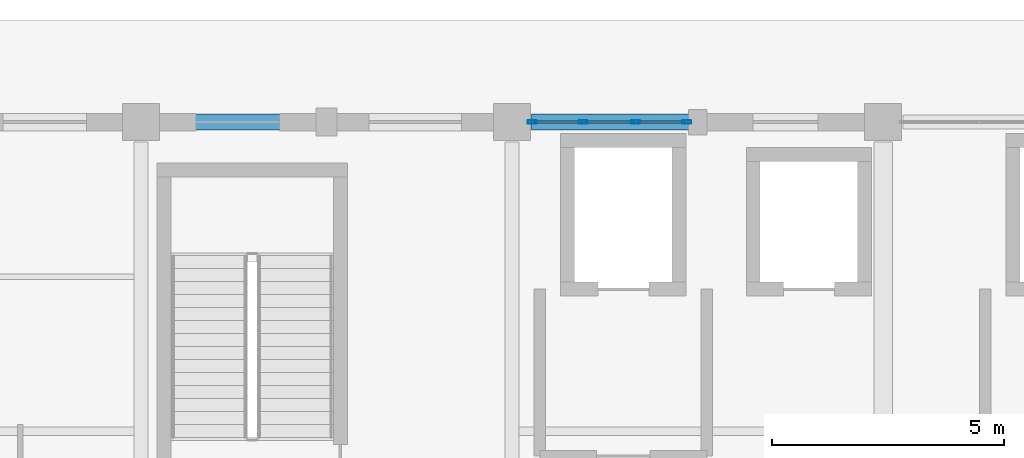
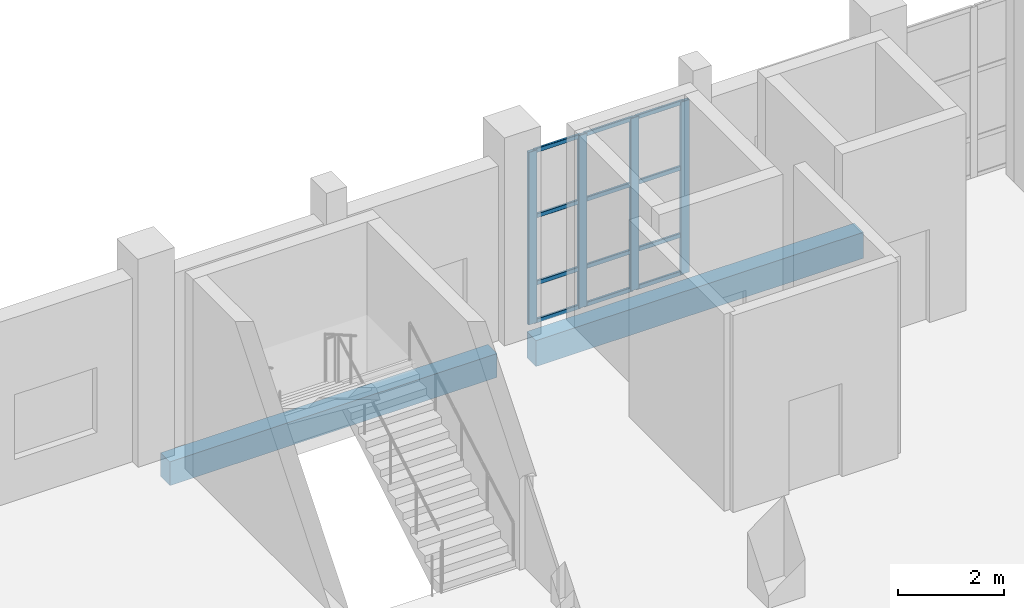
# One storey, part 99 of 156: 16 members, 2 beams, 1 element without a shape of its own.
"""IFC4 building model written with IfcOpenShell, lengths in metres."""

from ifc_helpers import new_model, si_unit, direction, frame, origin, origin_2d, place, context, subcontext, project, spatial, rectangle, hollow_rectangle, extrude, material, material_profile, profile_set, type_object, element, aggregate, save


model = new_model("IFC4")

# Units and contexts
model_context = context("Model", 3, precision=1e-05, world=origin(), true_north=direction((0.0, 1.0)))
body_context = subcontext(model_context, "Body", "Model", "MODEL_VIEW")
ifc_project = project(units=[si_unit("LENGTHUNIT", "METRE"), si_unit("AREAUNIT", "SQUARE_METRE"), si_unit("VOLUMEUNIT", "CUBIC_METRE"), si_unit("PLANEANGLEUNIT", "RADIAN"), si_unit("MASSUNIT", "GRAM", prefix="KILO")], contexts=[model_context])

# Site, building, storey
site_placement = place(None, origin())
site = spatial("IfcSite", under=ifc_project, at=site_placement, CompositionType="ELEMENT")
building_placement = place(site_placement, origin())
building = spatial("IfcBuilding", under=site, at=building_placement, Name="Luwemba Playhouse", CompositionType="ELEMENT")
storey_placement = place(building_placement, origin())
storey = spatial("IfcBuildingStorey", under=building, at=storey_placement, Name="L00", CompositionType="ELEMENT", Elevation=0.0)

# Beams
ifc_material_1 = material(Name="Concrete C40/50", Category="concrete")
ifc_material_profile_1 = material_profile(ifc_material_1, rectangle(XDim=0.35009765625, YDim=0.550048828125, at=origin_2d()))
ifc_profile_set_1 = profile_set([ifc_material_profile_1], Name="Concrete C40/50")
beam_type_1 = type_object("IfcBeamType", Name="BM-SP2", PredefinedType="SPANDREL", material=ifc_profile_set_1)
beam_1_placement = place(storey_placement, frame((140.425048828125, 115.0, -0.574951171875), z_axis=(1.0, 0.0, 0.0), x_axis=(0.0, 1.0, 0.0)))
element("IfcBeam", 1, at=beam_1_placement, inside=storey, type_object=beam_type_1, Name="L00 grid girder 0317", PredefinedType="SPANDREL", context=body_context, shape_type="SweptSolid", body=[
    extrude(rectangle(XDim=0.35009765625, YDim=0.550048828125, at=origin_2d()), origin(), (0.0, 0.0, 1.0), 7.14990234375),
])
ifc_material_profile_2 = material_profile(ifc_material_1, rectangle(XDim=0.35009765625, YDim=0.60009765625, at=origin_2d()))
ifc_profile_set_2 = profile_set([ifc_material_profile_2], Name="Concrete C40/50")
beam_type_2 = type_object("IfcBeamType", Name="BM-SP3", PredefinedType="SPANDREL", material=ifc_profile_set_2)
beam_2_placement = place(storey_placement, frame((148.425048828125, 115.0, -0.60009765625), z_axis=(1.0, 0.0, 0.0), x_axis=(0.0, 1.0, 0.0)))
element("IfcBeam", 2, at=beam_2_placement, inside=storey, type_object=beam_type_2, Name="L00 grid girder 0318", PredefinedType="SPANDREL", context=body_context, shape_type="SweptSolid", body=[
    extrude(rectangle(XDim=0.35009765625, YDim=0.60009765625, at=origin_2d()), origin(), (0.0, 0.0, 1.0), 7.14990234375),
])

# Curtain wall, members
ifc_material_2 = material(Name="Solar-control double glazing", Category="glass")
curtain_wall_type = type_object("IfcCurtainWallType", Name="CW-CW67", PredefinedType="USERDEFINED", material=ifc_material_2)
curtain_wall_placement = place(storey_placement, origin())
curtain_wall = element("IfcCurtainWall", 3, at=curtain_wall_placement, inside=storey, type_object=curtain_wall_type, Name="L00 V6E unitised curtain wall 086", ObjectType="UNITISED GLAZING", PredefinedType="USERDEFINED")
ifc_material_3 = material(Name="Aluminium 6063-T6", Category="aluminium")
ifc_material_profile_3 = material_profile(ifc_material_3, hollow_rectangle(XDim=0.070068359375, YDim=0.18994140625, WallThickness=0.0048828125, InnerFilletRadius=0.007568359375, OuterFilletRadius=0.012451171875, at=origin_2d()))
ifc_profile_set_3 = profile_set([ifc_material_profile_3], Name="Aluminium 6063-T6")
member_type_1 = type_object("IfcMemberType", Name="CWM-M4", PredefinedType="MULLION", material=ifc_profile_set_3)
member_1_placement = place(storey_placement, frame((148.43505859375, 115.0, 0.0), z_axis=(0.0, 0.0, 1.0), x_axis=(0.0, 1.0, 0.0)))
member_1 = element("IfcMember", 4, at=member_1_placement, type_object=member_type_1, Name="CW67 mullion 1", PredefinedType="MULLION", context=body_context, shape_type="SweptSolid", body=[
    extrude(hollow_rectangle(XDim=0.070068359375, YDim=0.18994140625, WallThickness=0.0048828125, InnerFilletRadius=0.007568359375, OuterFilletRadius=0.012451171875, at=origin_2d()), origin(), (0.0, 0.0, 1.0), 3.985107421875),
])
member_2_placement = place(storey_placement, frame((149.533447265625, 115.0, 0.0), z_axis=(0.0, 0.0, 1.0), x_axis=(0.0, 1.0, 0.0)))
member_2 = element("IfcMember", 5, at=member_2_placement, type_object=member_type_1, Name="CW67 mullion 2", PredefinedType="MULLION", context=body_context, shape_type="SweptSolid", body=[
    extrude(hollow_rectangle(XDim=0.070068359375, YDim=0.18994140625, WallThickness=0.0048828125, InnerFilletRadius=0.007568359375, OuterFilletRadius=0.012451171875, at=origin_2d()), origin(), (0.0, 0.0, 1.0), 3.985107421875),
])
member_3_placement = place(storey_placement, frame((150.666748046875, 115.0, 0.0), z_axis=(0.0, 0.0, 1.0), x_axis=(0.0, 1.0, 0.0)))
member_3 = element("IfcMember", 6, at=member_3_placement, type_object=member_type_1, Name="CW67 mullion 3", PredefinedType="MULLION", context=body_context, shape_type="SweptSolid", body=[
    extrude(hollow_rectangle(XDim=0.070068359375, YDim=0.18994140625, WallThickness=0.0048828125, InnerFilletRadius=0.007568359375, OuterFilletRadius=0.012451171875, at=origin_2d()), origin(), (0.0, 0.0, 1.0), 3.985107421875),
])
member_4_placement = place(storey_placement, frame((151.764892578125, 115.0, 0.0), z_axis=(0.0, 0.0, 1.0), x_axis=(0.0, 1.0, 0.0)))
member_4 = element("IfcMember", 7, at=member_4_placement, type_object=member_type_1, Name="CW67 mullion 4", PredefinedType="MULLION", context=body_context, shape_type="SweptSolid", body=[
    extrude(hollow_rectangle(XDim=0.070068359375, YDim=0.18994140625, WallThickness=0.0048828125, InnerFilletRadius=0.007568359375, OuterFilletRadius=0.012451171875, at=origin_2d()), origin(), (0.0, 0.0, 1.0), 3.985107421875),
])
ifc_material_profile_4 = material_profile(ifc_material_3, hollow_rectangle(XDim=0.050048828125, YDim=0.10009765625, WallThickness=0.00341796875, InnerFilletRadius=0.00537109375, OuterFilletRadius=0.0087890625, at=origin_2d()))
ifc_profile_set_4 = profile_set([ifc_material_profile_4], Name="Aluminium 6063-T6")
member_type_2 = type_object("IfcMemberType", Name="CWT-T4", PredefinedType="USERDEFINED", material=ifc_profile_set_4)
member_5_placement = place(storey_placement, frame((148.469970703125, 115.0, 0.02490234375), z_axis=(1.0, 0.0, 0.0), x_axis=(0.0, 1.0, 0.0)))
member_5 = element("IfcMember", 8, at=member_5_placement, type_object=member_type_2, Name="CW67 transom 1.1", ObjectType="TRANSOM", PredefinedType="USERDEFINED", context=body_context, shape_type="SweptSolid", body=[
    extrude(hollow_rectangle(XDim=0.050048828125, YDim=0.10009765625, WallThickness=0.00341796875, InnerFilletRadius=0.00537109375, OuterFilletRadius=0.0087890625, at=origin_2d()), origin(), (0.0, 0.0, 1.0), 1.0283203125),
])
member_6_placement = place(storey_placement, frame((148.469970703125, 115.0, 0.89990234375), z_axis=(1.0, 0.0, 0.0), x_axis=(0.0, 1.0, 0.0)))
member_6 = element("IfcMember", 9, at=member_6_placement, type_object=member_type_2, Name="CW67 transom 1.2", ObjectType="TRANSOM", PredefinedType="USERDEFINED", context=body_context, shape_type="SweptSolid", body=[
    extrude(hollow_rectangle(XDim=0.050048828125, YDim=0.10009765625, WallThickness=0.00341796875, InnerFilletRadius=0.00537109375, OuterFilletRadius=0.0087890625, at=origin_2d()), origin(), (0.0, 0.0, 1.0), 1.0283203125),
])
member_7_placement = place(storey_placement, frame((148.469970703125, 115.0, 2.449951171875), z_axis=(1.0, 0.0, 0.0), x_axis=(0.0, 1.0, 0.0)))
member_7 = element("IfcMember", 10, at=member_7_placement, type_object=member_type_2, Name="CW67 transom 1.3", ObjectType="TRANSOM", PredefinedType="USERDEFINED", context=body_context, shape_type="SweptSolid", body=[
    extrude(hollow_rectangle(XDim=0.050048828125, YDim=0.10009765625, WallThickness=0.00341796875, InnerFilletRadius=0.00537109375, OuterFilletRadius=0.0087890625, at=origin_2d()), origin(), (0.0, 0.0, 1.0), 1.0283203125),
])
member_8_placement = place(storey_placement, frame((148.469970703125, 115.0, 3.9599609375), z_axis=(1.0, 0.0, 0.0), x_axis=(0.0, 1.0, 0.0)))
member_8 = element("IfcMember", 11, at=member_8_placement, type_object=member_type_2, Name="CW67 transom 1.4", ObjectType="TRANSOM", PredefinedType="USERDEFINED", context=body_context, shape_type="SweptSolid", body=[
    extrude(hollow_rectangle(XDim=0.050048828125, YDim=0.10009765625, WallThickness=0.00341796875, InnerFilletRadius=0.00537109375, OuterFilletRadius=0.0087890625, at=origin_2d()), origin(), (0.0, 0.0, 1.0), 1.0283203125),
])
member_9_placement = place(storey_placement, frame((149.568359375, 115.0, 0.02490234375), z_axis=(1.0, 0.0, 0.0), x_axis=(0.0, 1.0, 0.0)))
member_9 = element("IfcMember", 12, at=member_9_placement, type_object=member_type_2, Name="CW67 transom 2.1", ObjectType="TRANSOM", PredefinedType="USERDEFINED", context=body_context, shape_type="SweptSolid", body=[
    extrude(hollow_rectangle(XDim=0.050048828125, YDim=0.10009765625, WallThickness=0.00341796875, InnerFilletRadius=0.00537109375, OuterFilletRadius=0.0087890625, at=origin_2d()), origin(), (0.0, 0.0, 1.0), 1.063232421875),
])
member_10_placement = place(storey_placement, frame((149.568359375, 115.0, 0.89990234375), z_axis=(1.0, 0.0, 0.0), x_axis=(0.0, 1.0, 0.0)))
member_10 = element("IfcMember", 13, at=member_10_placement, type_object=member_type_2, Name="CW67 transom 2.2", ObjectType="TRANSOM", PredefinedType="USERDEFINED", context=body_context, shape_type="SweptSolid", body=[
    extrude(hollow_rectangle(XDim=0.050048828125, YDim=0.10009765625, WallThickness=0.00341796875, InnerFilletRadius=0.00537109375, OuterFilletRadius=0.0087890625, at=origin_2d()), origin(), (0.0, 0.0, 1.0), 1.063232421875),
])
member_11_placement = place(storey_placement, frame((149.568359375, 115.0, 2.449951171875), z_axis=(1.0, 0.0, 0.0), x_axis=(0.0, 1.0, 0.0)))
member_11 = element("IfcMember", 14, at=member_11_placement, type_object=member_type_2, Name="CW67 transom 2.3", ObjectType="TRANSOM", PredefinedType="USERDEFINED", context=body_context, shape_type="SweptSolid", body=[
    extrude(hollow_rectangle(XDim=0.050048828125, YDim=0.10009765625, WallThickness=0.00341796875, InnerFilletRadius=0.00537109375, OuterFilletRadius=0.0087890625, at=origin_2d()), origin(), (0.0, 0.0, 1.0), 1.063232421875),
])
member_12_placement = place(storey_placement, frame((149.568359375, 115.0, 3.9599609375), z_axis=(1.0, 0.0, 0.0), x_axis=(0.0, 1.0, 0.0)))
member_12 = element("IfcMember", 15, at=member_12_placement, type_object=member_type_2, Name="CW67 transom 2.4", ObjectType="TRANSOM", PredefinedType="USERDEFINED", context=body_context, shape_type="SweptSolid", body=[
    extrude(hollow_rectangle(XDim=0.050048828125, YDim=0.10009765625, WallThickness=0.00341796875, InnerFilletRadius=0.00537109375, OuterFilletRadius=0.0087890625, at=origin_2d()), origin(), (0.0, 0.0, 1.0), 1.063232421875),
])
member_13_placement = place(storey_placement, frame((150.70166015625, 115.0, 0.02490234375), z_axis=(1.0, 0.0, 0.0), x_axis=(0.0, 1.0, 0.0)))
member_13 = element("IfcMember", 16, at=member_13_placement, type_object=member_type_2, Name="CW67 transom 3.1", ObjectType="TRANSOM", PredefinedType="USERDEFINED", context=body_context, shape_type="SweptSolid", body=[
    extrude(hollow_rectangle(XDim=0.050048828125, YDim=0.10009765625, WallThickness=0.00341796875, InnerFilletRadius=0.00537109375, OuterFilletRadius=0.0087890625, at=origin_2d()), origin(), (0.0, 0.0, 1.0), 1.0283203125),
])
member_14_placement = place(storey_placement, frame((150.70166015625, 115.0, 0.89990234375), z_axis=(1.0, 0.0, 0.0), x_axis=(0.0, 1.0, 0.0)))
member_14 = element("IfcMember", 17, at=member_14_placement, type_object=member_type_2, Name="CW67 transom 3.2", ObjectType="TRANSOM", PredefinedType="USERDEFINED", context=body_context, shape_type="SweptSolid", body=[
    extrude(hollow_rectangle(XDim=0.050048828125, YDim=0.10009765625, WallThickness=0.00341796875, InnerFilletRadius=0.00537109375, OuterFilletRadius=0.0087890625, at=origin_2d()), origin(), (0.0, 0.0, 1.0), 1.0283203125),
])
member_15_placement = place(storey_placement, frame((150.70166015625, 115.0, 2.449951171875), z_axis=(1.0, 0.0, 0.0), x_axis=(0.0, 1.0, 0.0)))
member_15 = element("IfcMember", 18, at=member_15_placement, type_object=member_type_2, Name="CW67 transom 3.3", ObjectType="TRANSOM", PredefinedType="USERDEFINED", context=body_context, shape_type="SweptSolid", body=[
    extrude(hollow_rectangle(XDim=0.050048828125, YDim=0.10009765625, WallThickness=0.00341796875, InnerFilletRadius=0.00537109375, OuterFilletRadius=0.0087890625, at=origin_2d()), origin(), (0.0, 0.0, 1.0), 1.0283203125),
])
member_16_placement = place(storey_placement, frame((150.70166015625, 115.0, 3.9599609375), z_axis=(1.0, 0.0, 0.0), x_axis=(0.0, 1.0, 0.0)))
member_16 = element("IfcMember", 19, at=member_16_placement, type_object=member_type_2, Name="CW67 transom 3.4", ObjectType="TRANSOM", PredefinedType="USERDEFINED", context=body_context, shape_type="SweptSolid", body=[
    extrude(hollow_rectangle(XDim=0.050048828125, YDim=0.10009765625, WallThickness=0.00341796875, InnerFilletRadius=0.00537109375, OuterFilletRadius=0.0087890625, at=origin_2d()), origin(), (0.0, 0.0, 1.0), 1.0283203125),
])
aggregate(curtain_wall, [member_1, member_2, member_3, member_4, member_5, member_6, member_7, member_8, member_9, member_10, member_11, member_12, member_13, member_14, member_15, member_16])

save(model, "model.ifc")
